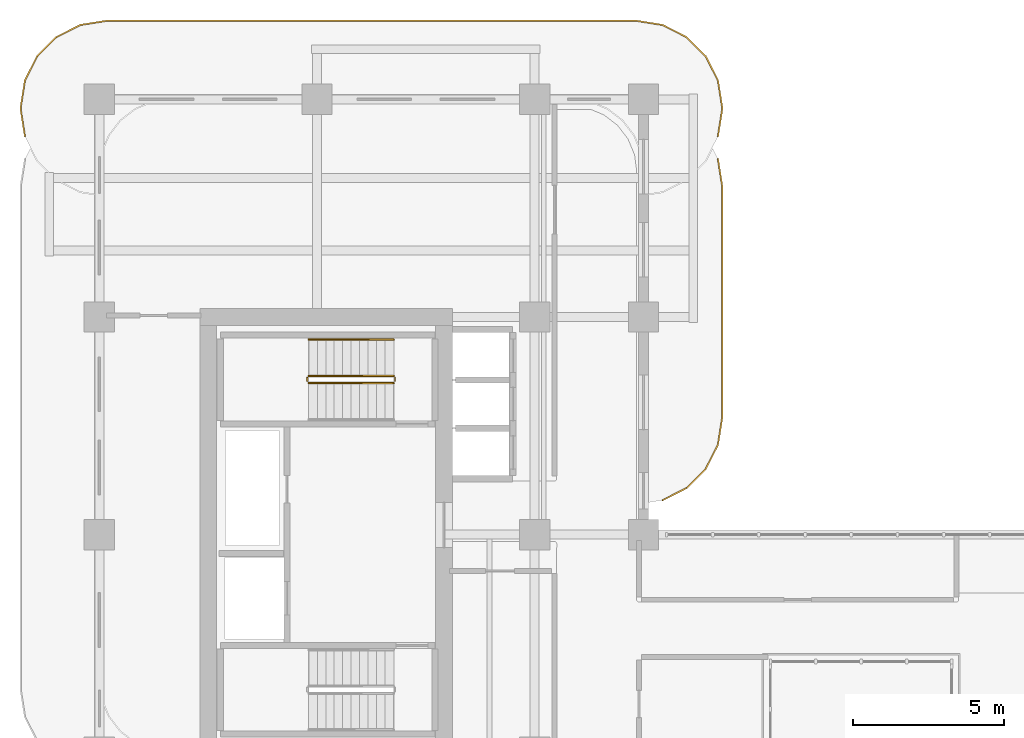
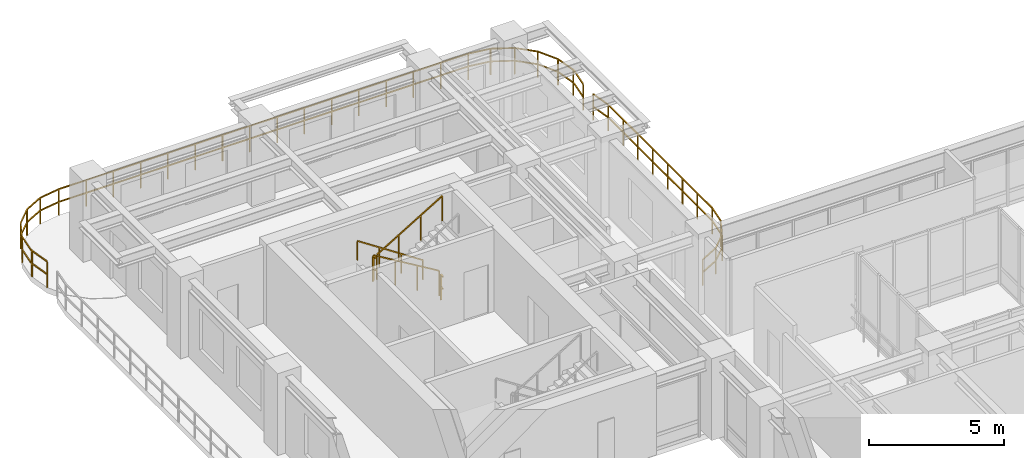
# One storey, part 20 of 20: 7 railings.
"""IFC4 building model written with IfcOpenShell, lengths in metres."""

from ifc_helpers import new_model, si_unit, derived_unit, direction, frame, origin, origin_2d, place, context, subcontext, project, spatial, rectangle, extrude, material, type_object, element, save


model = new_model("IFC4")

# Units and contexts
model_context = context("Model", 3, precision=1e-05, world=origin(), true_north=direction((0.0, 1.0)))
body_context = subcontext(model_context, "Body", "Model", "MODEL_VIEW")
ifc_project = project(units=[si_unit("LENGTHUNIT", "METRE"), si_unit("AREAUNIT", "SQUARE_METRE"), si_unit("VOLUMEUNIT", "CUBIC_METRE"), si_unit("PLANEANGLEUNIT", "RADIAN"), si_unit("MASSUNIT", "GRAM", prefix="KILO"), si_unit("THERMODYNAMICTEMPERATUREUNIT", "KELVIN"), si_unit("POWERUNIT", "WATT"), derived_unit("THERMALTRANSMITTANCEUNIT", [(si_unit("POWERUNIT", "WATT"), 1), (si_unit("AREAUNIT", "SQUARE_METRE"), -1), (si_unit("THERMODYNAMICTEMPERATUREUNIT", "KELVIN"), -1)])], contexts=[model_context])

# Site, building, storey
site_placement = place(None, origin())
site = spatial("IfcSite", under=ifc_project, at=site_placement, CompositionType="ELEMENT")
building_placement = place(site_placement, origin())
building = spatial("IfcBuilding", under=site, at=building_placement, Name="Zahravan Archway Hotel and Residences", CompositionType="ELEMENT")
storey_placement = place(building_placement, frame((0.0, 0.0, 130.300048828125)))
storey = spatial("IfcBuildingStorey", under=building, at=storey_placement, Name="L32", CompositionType="ELEMENT", Elevation=130.300048828125)

# Railings
ifc_material_1 = material(Name="Bronze & Laminated Glass Balustrade", Category="glass")
railing_type_1 = type_object("IfcRailingType", Name="RL-BAL-1200", PredefinedType="BALUSTRADE", material=ifc_material_1)
railing_1_placement = place(storey_placement, frame((-2.46044921875, 45.5693359375, 0.0)))
element("IfcRailing", 1, at=railing_1_placement, inside=storey, type_object=railing_type_1, Name="L32 Balustrade RL-SLB-BAL-L32-NB-1", PredefinedType="BALUSTRADE", context=body_context, shape_type="SweptSolid", body=[
    extrude(rectangle(XDim=0.048095703125, YDim=0.048095703125, at=origin_2d()), frame((0.0, 0.0, 1.17578125), z_axis=(-0.156623399917, 0.987658397726, 0.0), x_axis=(-0.987658397726, -0.156623399917, 0.0)), (0.0, 0.0, 1.0), 0.8916015625),
    extrude(rectangle(XDim=0.048095703125, YDim=0.048095703125, at=origin_2d()), frame((0.0, 0.0, 0.60009765625), z_axis=(-0.156623399917, 0.987658397726, 0.0), x_axis=(-0.987658397726, -0.156623399917, 0.0)), (0.0, 0.0, 1.0), 0.8916015625),
    extrude(rectangle(XDim=0.048095703125, YDim=0.048095703125, at=origin_2d()), frame((-0.1396484375, 0.880615234375, 1.17578125), z_axis=(0.0, 1.0, 0.0), x_axis=(-1.0, 0.0, 0.0)), (0.0, 0.0, 1.0), 0.10009765625),
    extrude(rectangle(XDim=0.048095703125, YDim=0.048095703125, at=origin_2d()), frame((-0.1396484375, 0.880615234375, 0.60009765625), z_axis=(0.0, 1.0, 0.0), x_axis=(-1.0, 0.0, 0.0)), (0.0, 0.0, 1.0), 0.10009765625),
    extrude(rectangle(XDim=0.048095703125, YDim=0.048095703125, at=origin_2d()), frame((-0.1396484375, 0.980712890625, 1.17578125), z_axis=(0.156623399917, 0.987658397726, 0.0), x_axis=(-0.987658397726, 0.156623399917, 0.0)), (0.0, 0.0, 1.0), 0.8916015625),
    extrude(rectangle(XDim=0.048095703125, YDim=0.048095703125, at=origin_2d()), frame((-0.1396484375, 0.980712890625, 0.60009765625), z_axis=(0.156623399917, 0.987658397726, 0.0), x_axis=(-0.987658397726, 0.156623399917, 0.0)), (0.0, 0.0, 1.0), 0.8916015625),
    extrude(rectangle(XDim=0.048095703125, YDim=0.048095703125, at=origin_2d()), frame((0.0, 1.861328125, 1.17578125), z_axis=(0.453991409995, 0.891006060389, 0.0), x_axis=(-0.891006060389, 0.453991409995, 0.0)), (0.0, 0.0, 1.0), 0.8916015625),
    extrude(rectangle(XDim=0.048095703125, YDim=0.048095703125, at=origin_2d()), frame((0.0, 1.861328125, 0.60009765625), z_axis=(0.453991409995, 0.891006060389, 0.0), x_axis=(-0.891006060389, 0.453991409995, 0.0)), (0.0, 0.0, 1.0), 0.8916015625),
    extrude(rectangle(XDim=0.048095703125, YDim=0.048095703125, at=origin_2d()), frame((0.40478515625, 2.65576171875, 1.17578125), z_axis=(0.706969864397, 0.70724367147, 0.0), x_axis=(-0.70724367147, 0.706969864397, 0.0)), (0.0, 0.0, 1.0), 0.8916015625),
    extrude(rectangle(XDim=0.048095703125, YDim=0.048095703125, at=origin_2d()), frame((0.40478515625, 2.65576171875, 0.60009765625), z_axis=(0.706969864397, 0.70724367147, 0.0), x_axis=(-0.70724367147, 0.706969864397, 0.0)), (0.0, 0.0, 1.0), 0.8916015625),
    extrude(rectangle(XDim=0.048095703125, YDim=0.048095703125, at=origin_2d()), frame((1.03515625, 3.286376953125, 1.17578125), z_axis=(0.891062476022, 0.45388067135, 0.0), x_axis=(-0.45388067135, 0.891062476022, 0.0)), (0.0, 0.0, 1.0), 0.891845703125),
    extrude(rectangle(XDim=0.048095703125, YDim=0.048095703125, at=origin_2d()), frame((1.03515625, 3.286376953125, 0.60009765625), z_axis=(0.891062476022, 0.45388067135, 0.0), x_axis=(-0.45388067135, 0.891062476022, 0.0)), (0.0, 0.0, 1.0), 0.891845703125),
    extrude(rectangle(XDim=0.048095703125, YDim=0.048095703125, at=origin_2d()), frame((1.829833984375, 3.691162109375, 1.17578125), z_axis=(0.987700720307, 0.156356282588, 0.0), x_axis=(-0.156356282588, 0.987700720307, 0.0)), (0.0, 0.0, 1.0), 0.8916015625),
    extrude(rectangle(XDim=0.048095703125, YDim=0.048095703125, at=origin_2d()), frame((1.829833984375, 3.691162109375, 0.60009765625), z_axis=(0.987700720307, 0.156356282588, 0.0), x_axis=(-0.156356282588, 0.987700720307, 0.0)), (0.0, 0.0, 1.0), 0.8916015625),
    extrude(rectangle(XDim=0.048095703125, YDim=0.048095703125, at=origin_2d()), frame((2.71044921875, 3.83056640625, 1.17578125), z_axis=(1.0, 0.0, 0.0), x_axis=(0.0, 1.0, 0.0)), (0.0, 0.0, 1.0), 17.5),
    extrude(rectangle(XDim=0.048095703125, YDim=0.048095703125, at=origin_2d()), frame((2.71044921875, 3.83056640625, 0.60009765625), z_axis=(1.0, 0.0, 0.0), x_axis=(0.0, 1.0, 0.0)), (0.0, 0.0, 1.0), 17.5),
    extrude(rectangle(XDim=0.048095703125, YDim=0.048095703125, at=origin_2d()), frame((20.21044921875, 3.83056640625, 1.17578125), z_axis=(0.987700720307, -0.156356282588, 0.0), x_axis=(0.156356282588, 0.987700720307, 0.0)), (0.0, 0.0, 1.0), 0.8916015625),
    extrude(rectangle(XDim=0.048095703125, YDim=0.048095703125, at=origin_2d()), frame((20.21044921875, 3.83056640625, 0.60009765625), z_axis=(0.987700720307, -0.156356282588, 0.0), x_axis=(0.156356282588, 0.987700720307, 0.0)), (0.0, 0.0, 1.0), 0.8916015625),
    extrude(rectangle(XDim=0.048095703125, YDim=0.048095703125, at=origin_2d()), frame((21.091064453125, 3.691162109375, 1.17578125), z_axis=(0.891062476022, -0.45388067135, 0.0), x_axis=(0.45388067135, 0.891062476022, 0.0)), (0.0, 0.0, 1.0), 0.891845703125),
    extrude(rectangle(XDim=0.048095703125, YDim=0.048095703125, at=origin_2d()), frame((21.091064453125, 3.691162109375, 0.60009765625), z_axis=(0.891062476022, -0.45388067135, 0.0), x_axis=(0.45388067135, 0.891062476022, 0.0)), (0.0, 0.0, 1.0), 0.891845703125),
    extrude(rectangle(XDim=0.048095703125, YDim=0.048095703125, at=origin_2d()), frame((21.8857421875, 3.286376953125, 1.17578125), z_axis=(0.706969864397, -0.70724367147, 0.0), x_axis=(0.70724367147, 0.706969864397, 0.0)), (0.0, 0.0, 1.0), 0.8916015625),
    extrude(rectangle(XDim=0.048095703125, YDim=0.048095703125, at=origin_2d()), frame((21.8857421875, 3.286376953125, 0.60009765625), z_axis=(0.706969864397, -0.70724367147, 0.0), x_axis=(0.70724367147, 0.706969864397, 0.0)), (0.0, 0.0, 1.0), 0.8916015625),
    extrude(rectangle(XDim=0.048095703125, YDim=0.048095703125, at=origin_2d()), frame((22.51611328125, 2.65576171875, 1.17578125), z_axis=(0.453991409995, -0.891006060389, 0.0), x_axis=(0.891006060389, 0.453991409995, 0.0)), (0.0, 0.0, 1.0), 0.8916015625),
    extrude(rectangle(XDim=0.048095703125, YDim=0.048095703125, at=origin_2d()), frame((22.51611328125, 2.65576171875, 0.60009765625), z_axis=(0.453991409995, -0.891006060389, 0.0), x_axis=(0.891006060389, 0.453991409995, 0.0)), (0.0, 0.0, 1.0), 0.8916015625),
    extrude(rectangle(XDim=0.048095703125, YDim=0.048095703125, at=origin_2d()), frame((22.9208984375, 1.861328125, 1.17578125), z_axis=(0.156623399917, -0.987658397726, 0.0), x_axis=(0.987658397726, 0.156623399917, 0.0)), (0.0, 0.0, 1.0), 0.8916015625),
    extrude(rectangle(XDim=0.048095703125, YDim=0.048095703125, at=origin_2d()), frame((22.9208984375, 1.861328125, 0.60009765625), z_axis=(0.156623399917, -0.987658397726, 0.0), x_axis=(0.987658397726, 0.156623399917, 0.0)), (0.0, 0.0, 1.0), 0.8916015625),
    extrude(rectangle(XDim=0.048095703125, YDim=0.048095703125, at=origin_2d()), frame((23.060546875, 0.980712890625, 1.17578125), z_axis=(0.0, -1.0, 0.0), x_axis=(1.0, 0.0, 0.0)), (0.0, 0.0, 1.0), 0.10009765625),
    extrude(rectangle(XDim=0.048095703125, YDim=0.048095703125, at=origin_2d()), frame((23.060546875, 0.980712890625, 0.60009765625), z_axis=(0.0, -1.0, 0.0), x_axis=(1.0, 0.0, 0.0)), (0.0, 0.0, 1.0), 0.10009765625),
    extrude(rectangle(XDim=0.048095703125, YDim=0.048095703125, at=origin_2d()), frame((23.060546875, 0.880615234375, 1.17578125), z_axis=(-0.156623399917, -0.987658397726, 0.0), x_axis=(0.987658397726, -0.156623399917, 0.0)), (0.0, 0.0, 1.0), 0.8916015625),
    extrude(rectangle(XDim=0.048095703125, YDim=0.048095703125, at=origin_2d()), frame((23.060546875, 0.880615234375, 0.60009765625), z_axis=(-0.156623399917, -0.987658397726, 0.0), x_axis=(0.987658397726, -0.156623399917, 0.0)), (0.0, 0.0, 1.0), 0.8916015625),
    extrude(rectangle(XDim=0.0419921875, YDim=0.0419921875, at=origin_2d()), origin(), (0.0, 0.0, 1.0), 1.15185546875),
    extrude(rectangle(XDim=0.0419921875, YDim=0.0419921875, at=origin_2d()), frame((-0.1396484375, 0.880615234375, 0.0)), (0.0, 0.0, 1.0), 1.15185546875),
    extrude(rectangle(XDim=0.0419921875, YDim=0.0419921875, at=origin_2d()), frame((0.0, 1.861328125, 0.0)), (0.0, 0.0, 1.0), 1.15185546875),
    extrude(rectangle(XDim=0.0419921875, YDim=0.0419921875, at=origin_2d()), frame((0.40478515625, 2.65576171875, 0.0)), (0.0, 0.0, 1.0), 1.15185546875),
    extrude(rectangle(XDim=0.0419921875, YDim=0.0419921875, at=origin_2d()), frame((1.03515625, 3.286376953125, 0.0)), (0.0, 0.0, 1.0), 1.15185546875),
    extrude(rectangle(XDim=0.0419921875, YDim=0.0419921875, at=origin_2d()), frame((1.829833984375, 3.691162109375, 0.0)), (0.0, 0.0, 1.0), 1.15185546875),
    extrude(rectangle(XDim=0.0419921875, YDim=0.0419921875, at=origin_2d()), frame((2.71044921875, 3.83056640625, 0.0)), (0.0, 0.0, 1.0), 1.15185546875),
    extrude(rectangle(XDim=0.0419921875, YDim=0.0419921875, at=origin_2d()), frame((3.877197265625, 3.83056640625, 0.0)), (0.0, 0.0, 1.0), 1.15185546875),
    extrude(rectangle(XDim=0.0419921875, YDim=0.0419921875, at=origin_2d()), frame((5.043701171875, 3.83056640625, 0.0)), (0.0, 0.0, 1.0), 1.15185546875),
    extrude(rectangle(XDim=0.0419921875, YDim=0.0419921875, at=origin_2d()), frame((6.21044921875, 3.83056640625, 0.0)), (0.0, 0.0, 1.0), 1.15185546875),
    extrude(rectangle(XDim=0.0419921875, YDim=0.0419921875, at=origin_2d()), frame((7.377197265625, 3.83056640625, 0.0)), (0.0, 0.0, 1.0), 1.15185546875),
    extrude(rectangle(XDim=0.0419921875, YDim=0.0419921875, at=origin_2d()), frame((8.543701171875, 3.83056640625, 0.0)), (0.0, 0.0, 1.0), 1.15185546875),
    extrude(rectangle(XDim=0.0419921875, YDim=0.0419921875, at=origin_2d()), frame((9.71044921875, 3.83056640625, 0.0)), (0.0, 0.0, 1.0), 1.15185546875),
    extrude(rectangle(XDim=0.0419921875, YDim=0.0419921875, at=origin_2d()), frame((10.877197265625, 3.83056640625, 0.0)), (0.0, 0.0, 1.0), 1.15185546875),
    extrude(rectangle(XDim=0.0419921875, YDim=0.0419921875, at=origin_2d()), frame((12.043701171875, 3.83056640625, 0.0)), (0.0, 0.0, 1.0), 1.15185546875),
    extrude(rectangle(XDim=0.0419921875, YDim=0.0419921875, at=origin_2d()), frame((13.21044921875, 3.83056640625, 0.0)), (0.0, 0.0, 1.0), 1.15185546875),
    extrude(rectangle(XDim=0.0419921875, YDim=0.0419921875, at=origin_2d()), frame((14.377197265625, 3.83056640625, 0.0)), (0.0, 0.0, 1.0), 1.15185546875),
    extrude(rectangle(XDim=0.0419921875, YDim=0.0419921875, at=origin_2d()), frame((15.543701171875, 3.83056640625, 0.0)), (0.0, 0.0, 1.0), 1.15185546875),
    extrude(rectangle(XDim=0.0419921875, YDim=0.0419921875, at=origin_2d()), frame((16.71044921875, 3.83056640625, 0.0)), (0.0, 0.0, 1.0), 1.15185546875),
    extrude(rectangle(XDim=0.0419921875, YDim=0.0419921875, at=origin_2d()), frame((17.877197265625, 3.83056640625, 0.0)), (0.0, 0.0, 1.0), 1.15185546875),
    extrude(rectangle(XDim=0.0419921875, YDim=0.0419921875, at=origin_2d()), frame((19.043701171875, 3.83056640625, 0.0)), (0.0, 0.0, 1.0), 1.15185546875),
    extrude(rectangle(XDim=0.0419921875, YDim=0.0419921875, at=origin_2d()), frame((20.21044921875, 3.83056640625, 0.0)), (0.0, 0.0, 1.0), 1.15185546875),
    extrude(rectangle(XDim=0.0419921875, YDim=0.0419921875, at=origin_2d()), frame((21.091064453125, 3.691162109375, 0.0)), (0.0, 0.0, 1.0), 1.15185546875),
    extrude(rectangle(XDim=0.0419921875, YDim=0.0419921875, at=origin_2d()), frame((21.8857421875, 3.286376953125, 0.0)), (0.0, 0.0, 1.0), 1.15185546875),
    extrude(rectangle(XDim=0.0419921875, YDim=0.0419921875, at=origin_2d()), frame((22.51611328125, 2.65576171875, 0.0)), (0.0, 0.0, 1.0), 1.15185546875),
    extrude(rectangle(XDim=0.0419921875, YDim=0.0419921875, at=origin_2d()), frame((22.9208984375, 1.861328125, 0.0)), (0.0, 0.0, 1.0), 1.15185546875),
    extrude(rectangle(XDim=0.0419921875, YDim=0.0419921875, at=origin_2d()), frame((23.060546875, 0.980712890625, 0.0)), (0.0, 0.0, 1.0), 1.15185546875),
    extrude(rectangle(XDim=0.0419921875, YDim=0.0419921875, at=origin_2d()), frame((22.9208984375, 0.0, 0.0)), (0.0, 0.0, 1.0), 1.15185546875),
])
railing_2_placement = place(storey_placement, frame((20.46044921875, 44.830810546875, 0.0)))
element("IfcRailing", 2, at=railing_2_placement, inside=storey, type_object=railing_type_1, Name="L32 Balustrade RL-SLB-BAL-L32-EB-1", PredefinedType="BALUSTRADE", context=body_context, shape_type="SweptSolid", body=[
    extrude(rectangle(XDim=0.048095703125, YDim=0.048095703125, at=origin_2d()), frame((0.0, 0.0, 1.17578125), z_axis=(0.156581054338, -0.98766511198, 0.0), x_axis=(0.98766511198, 0.156581054338, 0.0)), (0.0, 0.0, 1.0), 0.891845703125),
    extrude(rectangle(XDim=0.048095703125, YDim=0.048095703125, at=origin_2d()), frame((0.0, 0.0, 0.60009765625), z_axis=(0.156581054338, -0.98766511198, 0.0), x_axis=(0.98766511198, 0.156581054338, 0.0)), (0.0, 0.0, 1.0), 0.891845703125),
    extrude(rectangle(XDim=0.048095703125, YDim=0.048095703125, at=origin_2d()), frame((0.1396484375, -0.880859375, 1.17578125), z_axis=(0.0, -1.0, 0.0), x_axis=(1.0, 0.0, 0.0)), (0.0, 0.0, 1.0), 7.699951171875),
    extrude(rectangle(XDim=0.048095703125, YDim=0.048095703125, at=origin_2d()), frame((0.1396484375, -0.880859375, 0.60009765625), z_axis=(0.0, -1.0, 0.0), x_axis=(1.0, 0.0, 0.0)), (0.0, 0.0, 1.0), 7.699951171875),
    extrude(rectangle(XDim=0.048095703125, YDim=0.048095703125, at=origin_2d()), frame((0.1396484375, -8.580810546875, 1.17578125), z_axis=(-0.156623399917, -0.987658397726, 0.0), x_axis=(0.987658397726, -0.156623399917, 0.0)), (0.0, 0.0, 1.0), 0.8916015625),
    extrude(rectangle(XDim=0.048095703125, YDim=0.048095703125, at=origin_2d()), frame((0.1396484375, -8.580810546875, 0.60009765625), z_axis=(-0.156623399917, -0.987658397726, 0.0), x_axis=(0.987658397726, -0.156623399917, 0.0)), (0.0, 0.0, 1.0), 0.8916015625),
    extrude(rectangle(XDim=0.048095703125, YDim=0.048095703125, at=origin_2d()), frame((0.0, -9.46142578125, 1.17578125), z_axis=(-0.45388067135, -0.891062476022, 0.0), x_axis=(0.891062476022, -0.45388067135, 0.0)), (0.0, 0.0, 1.0), 0.891845703125),
    extrude(rectangle(XDim=0.048095703125, YDim=0.048095703125, at=origin_2d()), frame((0.0, -9.46142578125, 0.60009765625), z_axis=(-0.45388067135, -0.891062476022, 0.0), x_axis=(0.891062476022, -0.45388067135, 0.0)), (0.0, 0.0, 1.0), 0.891845703125),
    extrude(rectangle(XDim=0.048095703125, YDim=0.048095703125, at=origin_2d()), frame((-0.40478515625, -10.256103515625, 1.17578125), z_axis=(-0.707106781187, -0.707106781187, 0.0), x_axis=(0.707106781187, -0.707106781187, 0.0)), (0.0, 0.0, 1.0), 0.891357421875),
    extrude(rectangle(XDim=0.048095703125, YDim=0.048095703125, at=origin_2d()), frame((-0.40478515625, -10.256103515625, 0.60009765625), z_axis=(-0.707106781187, -0.707106781187, 0.0), x_axis=(0.707106781187, -0.707106781187, 0.0)), (0.0, 0.0, 1.0), 0.891357421875),
    extrude(rectangle(XDim=0.048095703125, YDim=0.048095703125, at=origin_2d()), frame((-1.03515625, -10.886474609375, 1.17578125), z_axis=(-0.891062476022, -0.45388067135, 0.0), x_axis=(0.45388067135, -0.891062476022, 0.0)), (0.0, 0.0, 1.0), 0.891845703125),
    extrude(rectangle(XDim=0.048095703125, YDim=0.048095703125, at=origin_2d()), frame((-1.03515625, -10.886474609375, 0.60009765625), z_axis=(-0.891062476022, -0.45388067135, 0.0), x_axis=(0.45388067135, -0.891062476022, 0.0)), (0.0, 0.0, 1.0), 0.891845703125),
    extrude(rectangle(XDim=0.0419921875, YDim=0.0419921875, at=origin_2d()), origin(), (0.0, 0.0, 1.0), 1.15185546875),
    extrude(rectangle(XDim=0.0419921875, YDim=0.0419921875, at=origin_2d()), frame((0.1396484375, -0.880859375, 0.0)), (0.0, 0.0, 1.0), 1.15185546875),
    extrude(rectangle(XDim=0.0419921875, YDim=0.0419921875, at=origin_2d()), frame((0.1396484375, -1.98095703125, 0.0)), (0.0, 0.0, 1.0), 1.15185546875),
    extrude(rectangle(XDim=0.0419921875, YDim=0.0419921875, at=origin_2d()), frame((0.1396484375, -3.080810546875, 0.0)), (0.0, 0.0, 1.0), 1.15185546875),
    extrude(rectangle(XDim=0.0419921875, YDim=0.0419921875, at=origin_2d()), frame((0.1396484375, -4.180908203125, 0.0)), (0.0, 0.0, 1.0), 1.15185546875),
    extrude(rectangle(XDim=0.0419921875, YDim=0.0419921875, at=origin_2d()), frame((0.1396484375, -5.28076171875, 0.0)), (0.0, 0.0, 1.0), 1.15185546875),
    extrude(rectangle(XDim=0.0419921875, YDim=0.0419921875, at=origin_2d()), frame((0.1396484375, -6.380859375, 0.0)), (0.0, 0.0, 1.0), 1.15185546875),
    extrude(rectangle(XDim=0.0419921875, YDim=0.0419921875, at=origin_2d()), frame((0.1396484375, -7.480712890625, 0.0)), (0.0, 0.0, 1.0), 1.15185546875),
    extrude(rectangle(XDim=0.0419921875, YDim=0.0419921875, at=origin_2d()), frame((0.1396484375, -8.580810546875, 0.0)), (0.0, 0.0, 1.0), 1.15185546875),
    extrude(rectangle(XDim=0.0419921875, YDim=0.0419921875, at=origin_2d()), frame((0.0, -9.46142578125, 0.0)), (0.0, 0.0, 1.0), 1.15185546875),
    extrude(rectangle(XDim=0.0419921875, YDim=0.0419921875, at=origin_2d()), frame((-0.40478515625, -10.256103515625, 0.0)), (0.0, 0.0, 1.0), 1.15185546875),
    extrude(rectangle(XDim=0.0419921875, YDim=0.0419921875, at=origin_2d()), frame((-1.03515625, -10.886474609375, 0.0)), (0.0, 0.0, 1.0), 1.15185546875),
    extrude(rectangle(XDim=0.0419921875, YDim=0.0419921875, at=origin_2d()), frame((-1.829833984375, -11.291259765625, 0.0)), (0.0, 0.0, 1.0), 1.15185546875),
])
ifc_material_2 = material(Name="Painted Tubular Steel", Category="steel")
railing_type_2 = type_object("IfcRailingType", Name="RL-STG-1150", PredefinedType="GUARDRAIL", material=ifc_material_2)
railing_3_placement = place(storey_placement, frame((9.72998046875, 37.64990234375, 0.168212890625)))
element("IfcRailing", 3, at=railing_3_placement, inside=storey, type_object=railing_type_2, Name="L32 ST-B2 stair guard 1", PredefinedType="GUARDRAIL", context=body_context, shape_type="SweptSolid", body=[
    extrude(rectangle(XDim=0.048095703125, YDim=0.048095703125, at=origin_2d()), frame((0.0, 0.0, 1.1259765625), z_axis=(-0.857275202839, 0.0, 0.514858452973), x_axis=(0.0, -1.0, 0.0)), (0.0, 0.0, 1.0), 3.26611328125),
    extrude(rectangle(XDim=0.0419921875, YDim=0.0419921875, at=origin_2d()), origin(), (0.0, 0.0, 1.0), 1.101806640625),
    extrude(rectangle(XDim=0.0419921875, YDim=0.0419921875, at=origin_2d()), frame((-0.933349609375, 0.0, 0.560546875)), (0.0, 0.0, 1.0), 1.101806640625),
    extrude(rectangle(XDim=0.0419921875, YDim=0.0419921875, at=origin_2d()), frame((-1.86669921875, 0.0, 1.12109375)), (0.0, 0.0, 1.0), 1.101806640625),
    extrude(rectangle(XDim=0.0419921875, YDim=0.0419921875, at=origin_2d()), frame((-2.800048828125, 0.0, 1.681640625)), (0.0, 0.0, 1.0), 1.101806640625),
])
railing_4_placement = place(storey_placement, frame((6.8798828125, 37.60009765625, 1.849853515625)))
element("IfcRailing", 4, at=railing_4_placement, inside=storey, type_object=railing_type_2, Name="L32 ST-B2 stair guard 2", PredefinedType="GUARDRAIL", context=body_context, shape_type="SweptSolid", body=[
    extrude(rectangle(XDim=0.048095703125, YDim=0.048095703125, at=origin_2d()), frame((0.0, 0.0, 1.1259765625), z_axis=(0.0, -1.0, 0.0), x_axis=(1.0, 0.0, 0.0)), (0.0, 0.0, 1.0), 0.14013671875),
    extrude(rectangle(XDim=0.048095703125, YDim=0.048095703125, at=origin_2d()), frame((0.0, 0.0, 0.574951171875), z_axis=(0.0, -1.0, 0.0), x_axis=(1.0, 0.0, 0.0)), (0.0, 0.0, 1.0), 0.14013671875),
    extrude(rectangle(XDim=0.0419921875, YDim=0.0419921875, at=origin_2d()), origin(), (0.0, 0.0, 1.0), 1.101806640625),
])
railing_5_placement = place(storey_placement, frame((6.929931640625, 37.409912109375, 2.01806640625)))
element("IfcRailing", 5, at=railing_5_placement, inside=storey, type_object=railing_type_2, Name="L32 ST-B2 stair guard 3", PredefinedType="GUARDRAIL", context=body_context, shape_type="SweptSolid", body=[
    extrude(rectangle(XDim=0.048095703125, YDim=0.048095703125, at=origin_2d()), frame((0.0, 0.0, 1.1259765625), z_axis=(0.857242210791, 0.0, 0.514913383045), x_axis=(0.0, 1.0, 0.0)), (0.0, 0.0, 1.0), 3.266357421875),
    extrude(rectangle(XDim=0.0419921875, YDim=0.0419921875, at=origin_2d()), origin(), (0.0, 0.0, 1.0), 1.101806640625),
    extrude(rectangle(XDim=0.0419921875, YDim=0.0419921875, at=origin_2d()), frame((0.933349609375, 0.0, 0.560546875)), (0.0, 0.0, 1.0), 1.101806640625),
    extrude(rectangle(XDim=0.0419921875, YDim=0.0419921875, at=origin_2d()), frame((1.86669921875, 0.0, 1.121337890625)), (0.0, 0.0, 1.0), 1.101806640625),
    extrude(rectangle(XDim=0.0419921875, YDim=0.0419921875, at=origin_2d()), frame((2.800048828125, 0.0, 1.681884765625)), (0.0, 0.0, 1.0), 1.101806640625),
])
railing_6_placement = place(storey_placement, frame((9.780029296875, 37.60009765625, 0.0)))
element("IfcRailing", 6, at=railing_6_placement, inside=storey, type_object=railing_type_2, Name="L32 ST-B2 stair guard 4", PredefinedType="GUARDRAIL", context=body_context, shape_type="SweptSolid", body=[
    extrude(rectangle(XDim=0.048095703125, YDim=0.048095703125, at=origin_2d()), frame((0.0, 0.0, 1.1259765625), z_axis=(0.0, -1.0, 0.0), x_axis=(1.0, 0.0, 0.0)), (0.0, 0.0, 1.0), 0.14013671875),
    extrude(rectangle(XDim=0.048095703125, YDim=0.048095703125, at=origin_2d()), frame((0.0, 0.0, 0.574951171875), z_axis=(0.0, -1.0, 0.0), x_axis=(1.0, 0.0, 0.0)), (0.0, 0.0, 1.0), 0.14013671875),
    extrude(rectangle(XDim=0.0419921875, YDim=0.0419921875, at=origin_2d()), origin(), (0.0, 0.0, 1.0), 1.101806640625),
])
ifc_material_3 = material(Name="Brushed Stainless Steel", Category="steel")
railing_type_3 = type_object("IfcRailingType", Name="RL-STH-900", PredefinedType="HANDRAIL", material=ifc_material_3)
railing_7_placement = place(storey_placement, frame((9.72998046875, 38.85009765625, 0.168212890625)))
element("IfcRailing", 7, at=railing_7_placement, inside=storey, type_object=railing_type_3, Name="L32 ST-B2 stair handrail 1", PredefinedType="HANDRAIL", context=body_context, shape_type="SweptSolid", body=[
    extrude(rectangle(XDim=0.048095703125, YDim=0.048095703125, at=origin_2d()), frame((0.0, 0.0, 0.8759765625), z_axis=(-0.83435981716, 0.0, 0.551220187865), x_axis=(0.0, -1.0, 0.0)), (0.0, 0.0, 1.0), 3.35595703125),
    extrude(rectangle(XDim=0.0419921875, YDim=0.0419921875, at=origin_2d()), origin(), (0.0, 0.0, 1.0), 0.851806640625),
    extrude(rectangle(XDim=0.0419921875, YDim=0.0419921875, at=origin_2d()), frame((-0.933349609375, 0.0, 0.61669921875)), (0.0, 0.0, 1.0), 0.851806640625),
    extrude(rectangle(XDim=0.0419921875, YDim=0.0419921875, at=origin_2d()), frame((-1.86669921875, 0.0, 1.233154296875)), (0.0, 0.0, 1.0), 0.851806640625),
    extrude(rectangle(XDim=0.0419921875, YDim=0.0419921875, at=origin_2d()), frame((-2.800048828125, 0.0, 1.849853515625)), (0.0, 0.0, 1.0), 0.851806640625),
])

save(model, "model.ifc")
